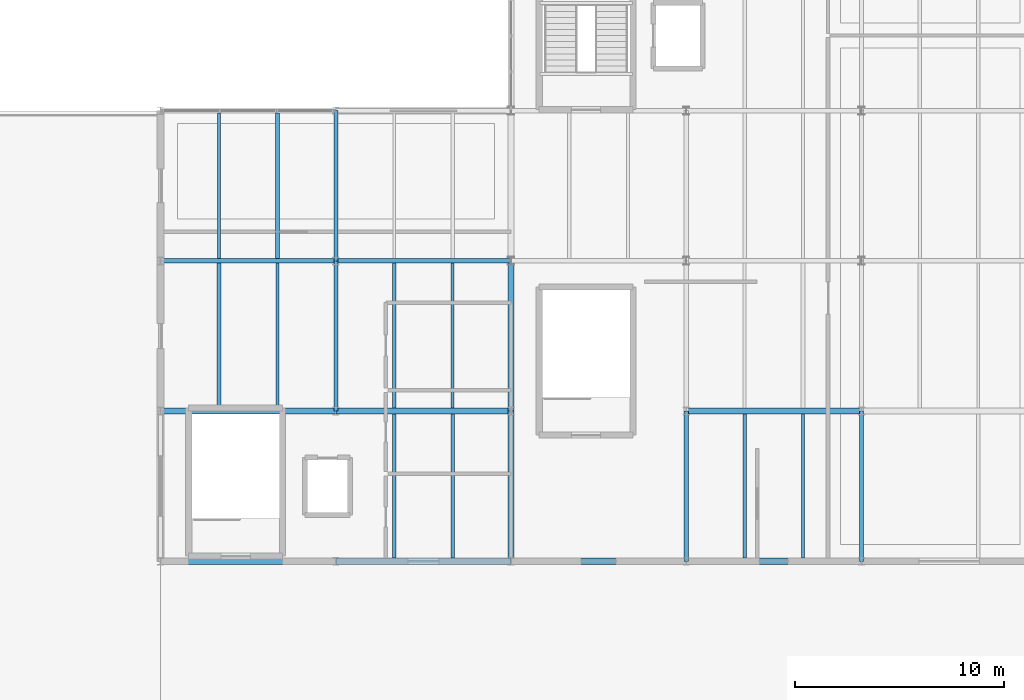
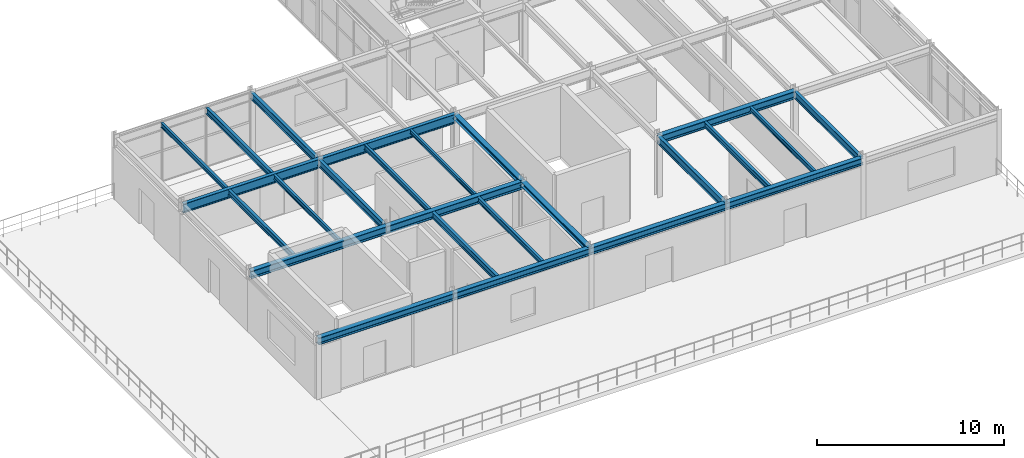
# One storey, part 70 of 134: 25 beams.
"""IFC4 building model written with IfcOpenShell, lengths in metres."""

from ifc_helpers import new_model, si_unit, derived_unit, direction, frame, origin, origin_2d, place, context, subcontext, project, spatial, i_section, extrude, material, material_profile, profile_set, type_object, element, save


model = new_model("IFC4")

# Units and contexts
model_context = context("Model", 3, precision=1e-05, world=origin(), true_north=direction((0.0, 1.0)))
body_context = subcontext(model_context, "Body", "Model", "MODEL_VIEW")
ifc_project = project(units=[si_unit("LENGTHUNIT", "METRE"), si_unit("AREAUNIT", "SQUARE_METRE"), si_unit("VOLUMEUNIT", "CUBIC_METRE"), si_unit("PLANEANGLEUNIT", "RADIAN"), si_unit("MASSUNIT", "GRAM", prefix="KILO"), derived_unit("THERMALTRANSMITTANCEUNIT", [(si_unit("MASSUNIT", "GRAM", prefix="KILO"), 1), (si_unit("TIMEUNIT", "SECOND"), -3), (si_unit("THERMODYNAMICTEMPERATUREUNIT", "KELVIN"), -1)])], contexts=[model_context])

# Site, building, storey
site_placement = place(None, origin())
site = spatial("IfcSite", under=ifc_project, at=site_placement, CompositionType="ELEMENT")
building_placement = place(site_placement, origin())
building = spatial("IfcBuilding", under=site, at=building_placement, Name="Kharveza Railside Sports Centre", CompositionType="ELEMENT")
storey_placement = place(building_placement, frame((0.0, 0.0, 12.89990234375)))
storey = spatial("IfcBuildingStorey", under=building, at=storey_placement, Name="L03", CompositionType="ELEMENT", Elevation=12.89990234375)

# Beams
ifc_material = material(Name="Steel S355J2", Category="steel")
ifc_material_profile_1 = material_profile(ifc_material, i_section(OverallWidth=0.219970703125, OverallDepth=0.60009765625, WebThickness=0.011962890625, FlangeThickness=0.01904296875, FilletRadius=0.02392578125, at=origin_2d()), Name="IPE 600")
ifc_profile_set_1 = profile_set([ifc_material_profile_1], Name="Steel S355J2")
beam_type_1 = type_object("IfcBeamType", Name="BM-G01", PredefinedType="T_BEAM", material=ifc_profile_set_1)
beam_1_placement = place(storey_placement, frame((126.0, 28.800048828125, 3.66015625), z_axis=(1.0, 0.0, 0.0), x_axis=(0.0, 1.0, 0.0)))
element("IfcBeam", 1, at=beam_1_placement, inside=storey, type_object=beam_type_1, Name="BM-EW-L03-B01-X1260-Y288", PredefinedType="T_BEAM", context=body_context, shape_type="SweptSolid", body=[
    extrude(i_section(OverallWidth=0.219970703125, OverallDepth=0.60009765625, WebThickness=0.011962890625, FlangeThickness=0.01904296875, FilletRadius=0.02392578125, at=origin_2d()), origin(), (0.0, 0.0, 1.0), 8.39990234375),
])
beam_2_placement = place(storey_placement, frame((134.39990234375, 28.800048828125, 3.66015625), z_axis=(1.0, 0.0, 0.0), x_axis=(0.0, 1.0, 0.0)))
element("IfcBeam", 2, at=beam_2_placement, inside=storey, type_object=beam_type_1, Name="BM-EW-L03-B01-X1344-Y288", PredefinedType="T_BEAM", context=body_context, shape_type="SweptSolid", body=[
    extrude(i_section(OverallWidth=0.219970703125, OverallDepth=0.60009765625, WebThickness=0.011962890625, FlangeThickness=0.01904296875, FilletRadius=0.02392578125, at=origin_2d()), origin(), (0.0, 0.0, 1.0), 8.400146484375),
])
ifc_material_profile_2 = material_profile(ifc_material, i_section(OverallWidth=0.199951171875, OverallDepth=0.5, WebThickness=0.01025390625, FlangeThickness=0.01611328125, FilletRadius=0.02099609375, at=origin_2d()), Name="IPE 500")
ifc_profile_set_2 = profile_set([ifc_material_profile_2], Name="Steel S355J2")
beam_type_2 = type_object("IfcBeamType", Name="BM-G03", PredefinedType="T_BEAM", material=ifc_profile_set_2)
beam_3_placement = place(storey_placement, frame((151.199951171875, 14.39990234375, 3.710205078125), z_axis=(0.0, 1.0, 0.0), x_axis=(-1.0, 0.0, 0.0)))
element("IfcBeam", 3, at=beam_3_placement, inside=storey, type_object=beam_type_2, Name="BM-NS-L03-B03-X1512-Y144", PredefinedType="T_BEAM", context=body_context, shape_type="SweptSolid", body=[
    extrude(i_section(OverallWidth=0.199951171875, OverallDepth=0.5, WebThickness=0.01025390625, FlangeThickness=0.01611328125, FilletRadius=0.02099609375, at=origin_2d()), origin(), (0.0, 0.0, 1.0), 7.2001953125),
])
ifc_material_profile_3 = material_profile(ifc_material, i_section(OverallWidth=0.18994140625, OverallDepth=0.449951171875, WebThickness=0.009521484375, FlangeThickness=0.0146484375, FilletRadius=0.02099609375, at=origin_2d()), Name="IPE 450")
ifc_profile_set_3 = profile_set([ifc_material_profile_3], Name="Steel S355J2")
beam_type_3 = type_object("IfcBeamType", Name="BM-G04", PredefinedType="T_BEAM", material=ifc_profile_set_3)
for number, where, z_axis, x_axis, name in (
    (4, (134.39990234375, 21.60009765625, 3.735107421875), (0.0, 1.0, 0.0), (-1.0, 0.0, 0.0), "BM-NS-L03-B04-X1344-Y216"),
    (5, (134.39990234375, 28.800048828125, 3.735107421875), (0.0, 1.0, 0.0), (-1.0, 0.0, 0.0), "BM-NS-L03-B04-X1344-Y288"),
):
    element("IfcBeam", number, at=place(storey_placement, frame(where, z_axis=z_axis, x_axis=x_axis)), inside=storey, type_object=beam_type_3, Name=name, PredefinedType="T_BEAM", context=body_context, shape_type="SweptSolid", body=[
        extrude(i_section(OverallWidth=0.18994140625, OverallDepth=0.449951171875, WebThickness=0.009521484375, FlangeThickness=0.0146484375, FilletRadius=0.02099609375, at=origin_2d()), origin(), (0.0, 0.0, 1.0), 7.199951171875),
    ])
beam_4_placement = place(storey_placement, frame((159.60009765625, 14.39990234375, 3.735107421875), z_axis=(0.0, 1.0, 0.0), x_axis=(-1.0, 0.0, 0.0)))
element("IfcBeam", 6, at=beam_4_placement, inside=storey, type_object=beam_type_3, Name="BM-NS-L03-B04-X1596-Y144", PredefinedType="T_BEAM", context=body_context, shape_type="SweptSolid", body=[
    extrude(i_section(OverallWidth=0.18994140625, OverallDepth=0.449951171875, WebThickness=0.009521484375, FlangeThickness=0.0146484375, FilletRadius=0.02099609375, at=origin_2d()), origin(), (0.0, 0.0, 1.0), 7.2001953125),
])
ifc_material_profile_4 = material_profile(ifc_material, i_section(OverallWidth=0.300048828125, OverallDepth=0.5, WebThickness=0.014404296875, FlangeThickness=0.028076171875, FilletRadius=0.027099609375, at=origin_2d()), Name="HEB 500")
ifc_profile_set_4 = profile_set([ifc_material_profile_4], Name="Steel S355J2")
beam_type_4 = type_object("IfcBeamType", Name="BM-G05", PredefinedType="T_BEAM", material=ifc_profile_set_4)
beam_5_placement = place(storey_placement, frame((126.0, 21.60009765625, 3.710205078125), z_axis=(1.0, 0.0, 0.0), x_axis=(0.0, 1.0, 0.0)))
element("IfcBeam", 7, at=beam_5_placement, inside=storey, type_object=beam_type_4, Name="BM-EW-L03-B05-X1260-Y216", PredefinedType="T_BEAM", context=body_context, shape_type="SweptSolid", body=[
    extrude(i_section(OverallWidth=0.300048828125, OverallDepth=0.5, WebThickness=0.014404296875, FlangeThickness=0.028076171875, FilletRadius=0.027099609375, at=origin_2d()), origin(), (0.0, 0.0, 1.0), 8.39990234375),
])
for number, where, z_axis, x_axis, name in (
    (8, (134.39990234375, 21.60009765625, 3.710205078125), (1.0, 0.0, 0.0), (0.0, 1.0, 0.0), "BM-EW-L03-B05-X1344-Y216"),
    (9, (151.199951171875, 21.60009765625, 3.710205078125), (1.0, 0.0, 0.0), (0.0, 1.0, 0.0), "BM-EW-L03-B05-X1512-Y216"),
):
    element("IfcBeam", number, at=place(storey_placement, frame(where, z_axis=z_axis, x_axis=x_axis)), inside=storey, type_object=beam_type_4, Name=name, PredefinedType="T_BEAM", context=body_context, shape_type="SweptSolid", body=[
        extrude(i_section(OverallWidth=0.300048828125, OverallDepth=0.5, WebThickness=0.014404296875, FlangeThickness=0.028076171875, FilletRadius=0.027099609375, at=origin_2d()), origin(), (0.0, 0.0, 1.0), 8.400146484375),
    ])
ifc_material_profile_5 = material_profile(ifc_material, i_section(OverallWidth=0.300048828125, OverallDepth=0.449951171875, WebThickness=0.013916015625, FlangeThickness=0.02587890625, FilletRadius=0.027099609375, at=origin_2d()), Name="HEB 450")
ifc_profile_set_5 = profile_set([ifc_material_profile_5], Name="Steel S355J2")
beam_type_5 = type_object("IfcBeamType", Name="BM-G06", PredefinedType="T_BEAM", material=ifc_profile_set_5)
beam_6_placement = place(storey_placement, frame((126.0, 14.39990234375, 3.735107421875), z_axis=(1.0, 0.0, 0.0), x_axis=(0.0, 1.0, 0.0)))
element("IfcBeam", 10, at=beam_6_placement, inside=storey, type_object=beam_type_5, Name="BM-EW-L03-B06-X1260-Y144", PredefinedType="T_BEAM", context=body_context, shape_type="SweptSolid", body=[
    extrude(i_section(OverallWidth=0.300048828125, OverallDepth=0.449951171875, WebThickness=0.013916015625, FlangeThickness=0.02587890625, FilletRadius=0.027099609375, at=origin_2d()), origin(), (0.0, 0.0, 1.0), 8.39990234375),
])
beam_7_placement = place(storey_placement, frame((134.39990234375, 14.39990234375, 3.735107421875), z_axis=(1.0, 0.0, 0.0), x_axis=(0.0, 1.0, 0.0)))
element("IfcBeam", 11, at=beam_7_placement, inside=storey, type_object=beam_type_5, Name="BM-EW-L03-B06-X1344-Y144", PredefinedType="T_BEAM", context=body_context, shape_type="SweptSolid", body=[
    extrude(i_section(OverallWidth=0.300048828125, OverallDepth=0.449951171875, WebThickness=0.013916015625, FlangeThickness=0.02587890625, FilletRadius=0.027099609375, at=origin_2d()), origin(), (0.0, 0.0, 1.0), 8.400146484375),
])
beam_8_placement = place(storey_placement, frame((142.800048828125, 14.39990234375, 3.735107421875), z_axis=(1.0, 0.0, 0.0), x_axis=(0.0, 1.0, 0.0)))
element("IfcBeam", 12, at=beam_8_placement, inside=storey, type_object=beam_type_5, Name="BM-EW-L03-B06-X1428-Y144", PredefinedType="T_BEAM", context=body_context, shape_type="SweptSolid", body=[
    extrude(i_section(OverallWidth=0.300048828125, OverallDepth=0.449951171875, WebThickness=0.013916015625, FlangeThickness=0.02587890625, FilletRadius=0.027099609375, at=origin_2d()), origin(), (0.0, 0.0, 1.0), 8.39990234375),
])
beam_9_placement = place(storey_placement, frame((151.199951171875, 14.39990234375, 3.735107421875), z_axis=(1.0, 0.0, 0.0), x_axis=(0.0, 1.0, 0.0)))
element("IfcBeam", 13, at=beam_9_placement, inside=storey, type_object=beam_type_5, Name="BM-EW-L03-B06-X1512-Y144", PredefinedType="T_BEAM", context=body_context, shape_type="SweptSolid", body=[
    extrude(i_section(OverallWidth=0.300048828125, OverallDepth=0.449951171875, WebThickness=0.013916015625, FlangeThickness=0.02587890625, FilletRadius=0.027099609375, at=origin_2d()), origin(), (0.0, 0.0, 1.0), 8.400146484375),
])
ifc_material_profile_6 = material_profile(ifc_material, i_section(OverallWidth=0.179931640625, OverallDepth=0.39990234375, WebThickness=0.008544921875, FlangeThickness=0.013427734375, FilletRadius=0.02099609375, at=origin_2d()), Name="IPE 400")
ifc_profile_set_6 = profile_set([ifc_material_profile_6], Name="Steel S355J2")
beam_type_6 = type_object("IfcBeamType", Name="BM-S01", PredefinedType="BEAM", material=ifc_profile_set_6)
beam_10_placement = place(storey_placement, frame((131.60009765625, 28.906982421875, 3.760009765625), z_axis=(0.0, 1.0, 0.0), x_axis=(-1.0, 0.0, 0.0)))
element("IfcBeam", 14, at=beam_10_placement, inside=storey, type_object=beam_type_6, Name="BM-SEC-L03-B09-X1316-Y288", PredefinedType="BEAM", context=body_context, shape_type="SweptSolid", body=[
    extrude(i_section(OverallWidth=0.179931640625, OverallDepth=0.39990234375, WebThickness=0.008544921875, FlangeThickness=0.013427734375, FilletRadius=0.02099609375, at=origin_2d()), origin(), (0.0, 0.0, 1.0), 6.990966796875),
])
beam_11_placement = place(storey_placement, frame((137.199951171875, 14.547119140625, 3.760009765625), z_axis=(0.0, 1.0, 0.0), x_axis=(-1.0, 0.0, 0.0)))
element("IfcBeam", 15, at=beam_11_placement, inside=storey, type_object=beam_type_6, Name="BM-SEC-L03-B09-X1372-Y144", PredefinedType="BEAM", context=body_context, shape_type="SweptSolid", body=[
    extrude(i_section(OverallWidth=0.179931640625, OverallDepth=0.39990234375, WebThickness=0.008544921875, FlangeThickness=0.013427734375, FilletRadius=0.02099609375, at=origin_2d()), origin(), (0.0, 0.0, 1.0), 6.90576171875),
])
ifc_material_profile_7 = material_profile(ifc_material, i_section(OverallWidth=0.169921875, OverallDepth=0.360107421875, WebThickness=0.008056640625, FlangeThickness=0.0126953125, FilletRadius=0.01806640625, at=origin_2d()), Name="IPE 360")
ifc_profile_set_7 = profile_set([ifc_material_profile_7], Name="Steel S355J2")
beam_type_7 = type_object("IfcBeamType", Name="BM-S02", PredefinedType="BEAM", material=ifc_profile_set_7)
beam_12_placement = place(storey_placement, frame((128.800048828125, 21.7470703125, 3.780029296875), z_axis=(0.0, 1.0, 0.0), x_axis=(-1.0, 0.0, 0.0)))
element("IfcBeam", 16, at=beam_12_placement, inside=storey, type_object=beam_type_7, Name="BM-SEC-L03-B10-X1288-Y216", PredefinedType="BEAM", context=body_context, shape_type="SweptSolid", body=[
    extrude(i_section(OverallWidth=0.169921875, OverallDepth=0.360107421875, WebThickness=0.008056640625, FlangeThickness=0.0126953125, FilletRadius=0.01806640625, at=origin_2d()), origin(), (0.0, 0.0, 1.0), 6.946044921875),
])
beam_13_placement = place(storey_placement, frame((154.0, 14.547119140625, 3.780029296875), z_axis=(0.0, 1.0, 0.0), x_axis=(-1.0, 0.0, 0.0)))
element("IfcBeam", 17, at=beam_13_placement, inside=storey, type_object=beam_type_7, Name="BM-SEC-L03-B10-X1540-Y144", PredefinedType="BEAM", context=body_context, shape_type="SweptSolid", body=[
    extrude(i_section(OverallWidth=0.169921875, OverallDepth=0.360107421875, WebThickness=0.008056640625, FlangeThickness=0.0126953125, FilletRadius=0.01806640625, at=origin_2d()), origin(), (0.0, 0.0, 1.0), 6.90576171875),
])
ifc_material_profile_8 = material_profile(ifc_material, i_section(OverallWidth=0.159912109375, OverallDepth=0.330078125, WebThickness=0.007568359375, FlangeThickness=0.011474609375, FilletRadius=0.01806640625, at=origin_2d()), Name="IPE 330")
ifc_profile_set_8 = profile_set([ifc_material_profile_8], Name="Steel S355J2")
beam_type_8 = type_object("IfcBeamType", Name="BM-S03", PredefinedType="BEAM", material=ifc_profile_set_8)
beam_14_placement = place(storey_placement, frame((140.0, 14.547119140625, 3.795166015625), z_axis=(0.0, 1.0, 0.0), x_axis=(-1.0, 0.0, 0.0)))
element("IfcBeam", 18, at=beam_14_placement, inside=storey, type_object=beam_type_8, Name="BM-SEC-L03-B11-X1400-Y144", PredefinedType="BEAM", context=body_context, shape_type="SweptSolid", body=[
    extrude(i_section(OverallWidth=0.159912109375, OverallDepth=0.330078125, WebThickness=0.007568359375, FlangeThickness=0.011474609375, FilletRadius=0.01806640625, at=origin_2d()), origin(), (0.0, 0.0, 1.0), 6.90576171875),
])
beam_15_placement = place(storey_placement, frame((137.199951171875, 21.7470703125, 3.795166015625), z_axis=(0.0, 1.0, 0.0), x_axis=(-1.0, 0.0, 0.0)))
element("IfcBeam", 19, at=beam_15_placement, inside=storey, type_object=beam_type_8, Name="BM-SEC-L03-B11-X1372-Y216", PredefinedType="BEAM", context=body_context, shape_type="SweptSolid", body=[
    extrude(i_section(OverallWidth=0.159912109375, OverallDepth=0.330078125, WebThickness=0.007568359375, FlangeThickness=0.011474609375, FilletRadius=0.01806640625, at=origin_2d()), origin(), (0.0, 0.0, 1.0), 6.946044921875),
])
ifc_material_profile_9 = material_profile(ifc_material, i_section(OverallWidth=0.14990234375, OverallDepth=0.300048828125, WebThickness=0.007080078125, FlangeThickness=0.0107421875, FilletRadius=0.014892578125, at=origin_2d()), Name="IPE 300")
ifc_profile_set_9 = profile_set([ifc_material_profile_9], Name="Steel S355J2")
beam_type_9 = type_object("IfcBeamType", Name="BM-S04", PredefinedType="BEAM", material=ifc_profile_set_9)
beam_16_placement = place(storey_placement, frame((131.60009765625, 21.7470703125, 3.81005859375), z_axis=(0.0, 1.0, 0.0), x_axis=(-1.0, 0.0, 0.0)))
element("IfcBeam", 20, at=beam_16_placement, inside=storey, type_object=beam_type_9, Name="BM-SEC-L03-B12-X1316-Y216", PredefinedType="BEAM", context=body_context, shape_type="SweptSolid", body=[
    extrude(i_section(OverallWidth=0.14990234375, OverallDepth=0.300048828125, WebThickness=0.007080078125, FlangeThickness=0.0107421875, FilletRadius=0.014892578125, at=origin_2d()), origin(), (0.0, 0.0, 1.0), 6.946044921875),
])
beam_17_placement = place(storey_placement, frame((128.800048828125, 28.906982421875, 3.81005859375), z_axis=(0.0, 1.0, 0.0), x_axis=(-1.0, 0.0, 0.0)))
element("IfcBeam", 21, at=beam_17_placement, inside=storey, type_object=beam_type_9, Name="BM-SEC-L03-B12-X1288-Y288", PredefinedType="BEAM", context=body_context, shape_type="SweptSolid", body=[
    extrude(i_section(OverallWidth=0.14990234375, OverallDepth=0.300048828125, WebThickness=0.007080078125, FlangeThickness=0.0107421875, FilletRadius=0.014892578125, at=origin_2d()), origin(), (0.0, 0.0, 1.0), 6.990966796875),
])
beam_18_placement = place(storey_placement, frame((156.800048828125, 14.547119140625, 3.81005859375), z_axis=(0.0, 1.0, 0.0), x_axis=(-1.0, 0.0, 0.0)))
element("IfcBeam", 22, at=beam_18_placement, inside=storey, type_object=beam_type_9, Name="BM-SEC-L03-B12-X1568-Y144", PredefinedType="BEAM", context=body_context, shape_type="SweptSolid", body=[
    extrude(i_section(OverallWidth=0.14990234375, OverallDepth=0.300048828125, WebThickness=0.007080078125, FlangeThickness=0.0107421875, FilletRadius=0.014892578125, at=origin_2d()), origin(), (0.0, 0.0, 1.0), 6.90576171875),
])
ifc_material_profile_10 = material_profile(ifc_material, i_section(OverallWidth=0.135009765625, OverallDepth=0.27001953125, WebThickness=0.006591796875, FlangeThickness=0.01025390625, FilletRadius=0.014892578125, at=origin_2d()), Name="IPE 270")
ifc_profile_set_10 = profile_set([ifc_material_profile_10], Name="Steel S355J2")
beam_type_10 = type_object("IfcBeamType", Name="BM-S05", PredefinedType="BEAM", material=ifc_profile_set_10)
beam_19_placement = place(storey_placement, frame((140.0, 21.7470703125, 3.8251953125), z_axis=(0.0, 1.0, 0.0), x_axis=(-1.0, 0.0, 0.0)))
element("IfcBeam", 23, at=beam_19_placement, inside=storey, type_object=beam_type_10, Name="BM-SEC-L03-B13-X1400-Y216", PredefinedType="BEAM", context=body_context, shape_type="SweptSolid", body=[
    extrude(i_section(OverallWidth=0.135009765625, OverallDepth=0.27001953125, WebThickness=0.006591796875, FlangeThickness=0.01025390625, FilletRadius=0.014892578125, at=origin_2d()), origin(), (0.0, 0.0, 1.0), 6.946044921875),
])
ifc_material_profile_11 = material_profile(ifc_material, i_section(OverallWidth=0.300048828125, OverallDepth=0.31005859375, WebThickness=0.009033203125, FlangeThickness=0.015380859375, FilletRadius=0.027099609375, at=origin_2d()), Name="HEA 320")
ifc_profile_set_11 = profile_set([ifc_material_profile_11], Name="Steel S355J2")
beam_type_11 = type_object("IfcBeamType", Name="BM-S06", PredefinedType="BEAM", material=ifc_profile_set_11)
beam_20_placement = place(storey_placement, frame((142.800048828125, 14.39990234375, 3.80517578125), z_axis=(0.0, 1.0, 0.0), x_axis=(-1.0, 0.0, 0.0)))
element("IfcBeam", 24, at=beam_20_placement, inside=storey, type_object=beam_type_11, Name="BM-NS-L03-B14-X1428-Y144", PredefinedType="BEAM", context=body_context, shape_type="SweptSolid", body=[
    extrude(i_section(OverallWidth=0.300048828125, OverallDepth=0.31005859375, WebThickness=0.009033203125, FlangeThickness=0.015380859375, FilletRadius=0.027099609375, at=origin_2d()), origin(), (0.0, 0.0, 1.0), 7.2001953125),
])
beam_21_placement = place(storey_placement, frame((142.800048828125, 21.60009765625, 3.80517578125), z_axis=(0.0, 1.0, 0.0), x_axis=(-1.0, 0.0, 0.0)))
element("IfcBeam", 25, at=beam_21_placement, inside=storey, type_object=beam_type_11, Name="BM-NS-L03-B14-X1428-Y216", PredefinedType="BEAM", context=body_context, shape_type="SweptSolid", body=[
    extrude(i_section(OverallWidth=0.300048828125, OverallDepth=0.31005859375, WebThickness=0.009033203125, FlangeThickness=0.015380859375, FilletRadius=0.027099609375, at=origin_2d()), origin(), (0.0, 0.0, 1.0), 7.199951171875),
])

save(model, "model.ifc")
